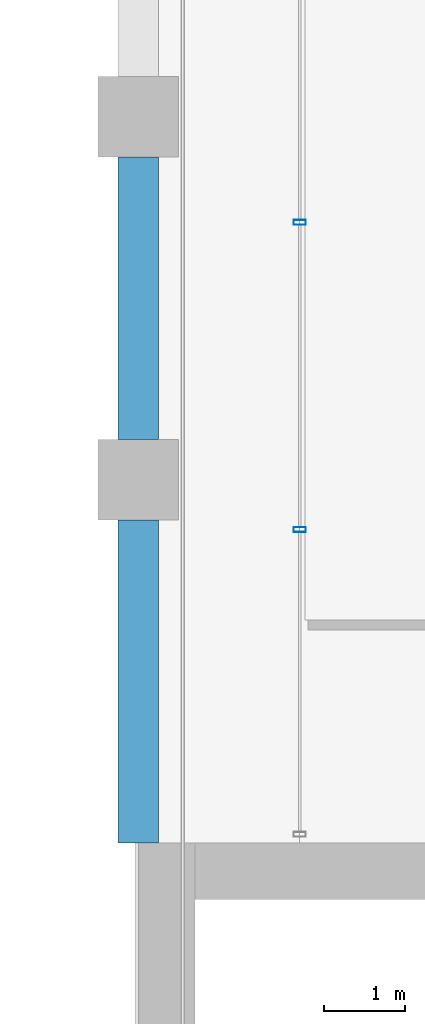
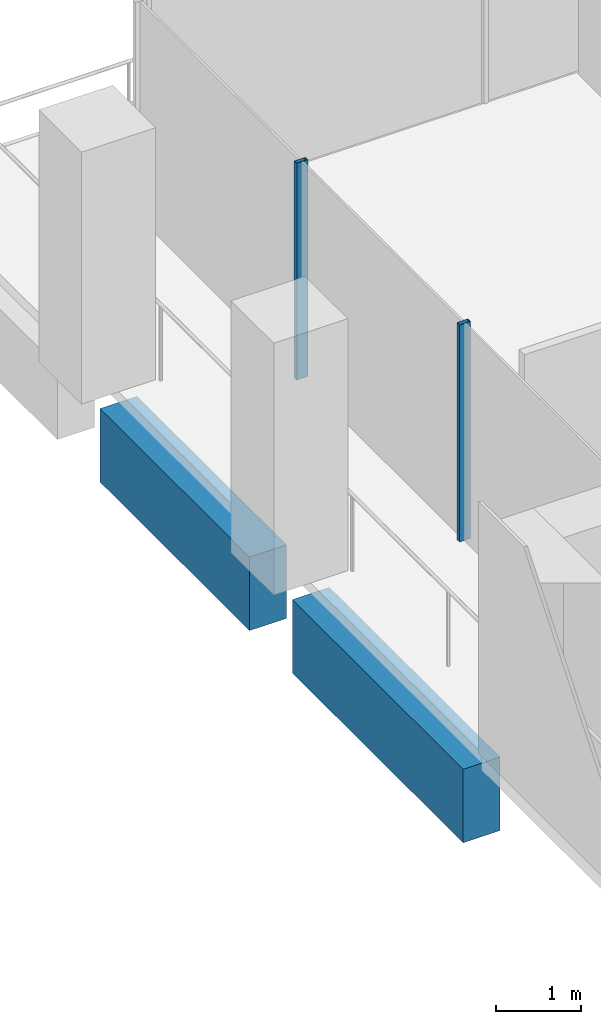
# One storey, part 20 of 45: 2 beams, 2 members, 1 element without a shape of its own.
"""IFC4 building model written with IfcOpenShell, lengths in metres."""

from ifc_helpers import new_model, si_unit, direction, frame, origin, origin_2d, place, context, subcontext, project, spatial, rectangle, hollow_rectangle, extrude, material, material_profile, profile_set, type_object, element, aggregate, save


model = new_model("IFC4")

# Units and contexts
model_context = context("Model", 3, precision=1e-05, world=origin(), true_north=direction((0.0, 1.0)))
body_context = subcontext(model_context, "Body", "Model", "MODEL_VIEW")
ifc_project = project(units=[si_unit("LENGTHUNIT", "METRE"), si_unit("AREAUNIT", "SQUARE_METRE"), si_unit("VOLUMEUNIT", "CUBIC_METRE"), si_unit("PLANEANGLEUNIT", "RADIAN"), si_unit("MASSUNIT", "GRAM", prefix="KILO")], contexts=[model_context])

# Site, building, storey
site_placement = place(None, origin())
site = spatial("IfcSite", under=ifc_project, at=site_placement, CompositionType="ELEMENT")
building_placement = place(site_placement, origin())
building = spatial("IfcBuilding", under=site, at=building_placement, Name="Altepetl Exchange Towers", CompositionType="ELEMENT")
storey_placement = place(building_placement, frame((0.0, 0.0, 110.0)))
storey = spatial("IfcBuildingStorey", under=building, at=storey_placement, Name="L27", CompositionType="ELEMENT", Elevation=110.0)

# Curtain wall, members
ifc_material_1 = material(Name="Aluminium 6063-T6 glazing", Category="aluminium")
curtain_wall_type = type_object("IfcCurtainWallType", Name="Loggia glazing system", PredefinedType="NOTDEFINED", material=ifc_material_1)
curtain_wall_placement = place(storey_placement, origin())
curtain_wall = element("IfcCurtainWall", 1, at=curtain_wall_placement, inside=storey, type_object=curtain_wall_type, Name="CW1 run", PredefinedType="NOTDEFINED")
ifc_material_2 = material(Name="Aluminium 6063-T6", Category="aluminium")
ifc_material_profile_1 = material_profile(ifc_material_2, hollow_rectangle(XDim=0.06005859375, YDim=0.14990234375, WallThickness=0.0029296875, at=origin_2d()), Name="Mullion 60x150 aluminium")
ifc_profile_set_1 = profile_set([ifc_material_profile_1], Name="Aluminium 6063-T6")
member_type = type_object("IfcMemberType", Name="Mullion 60x150 aluminium", PredefinedType="MULLION", material=ifc_profile_set_1)
member_1_placement = place(storey_placement, frame((42.5, 66.191650390625, 0.0), z_axis=(0.0, 0.0, 1.0), x_axis=(0.0, -1.0, 0.0)))
member_1 = element("IfcMember", 2, at=member_1_placement, type_object=member_type, Name="MU1 mullion", PredefinedType="MULLION", context=body_context, shape_type="SweptSolid", body=[
    extrude(hollow_rectangle(XDim=0.06005859375, YDim=0.14990234375, WallThickness=0.0029296875, at=origin_2d()), origin(), (0.0, 0.0, 1.0), 3.10009765625),
])
member_2_placement = place(storey_placement, frame((42.5, 62.38330078125, 0.0), z_axis=(0.0, 0.0, 1.0), x_axis=(0.0, -1.0, 0.0)))
member_2 = element("IfcMember", 3, at=member_2_placement, type_object=member_type, Name="MU1 mullion", PredefinedType="MULLION", context=body_context, shape_type="SweptSolid", body=[
    extrude(hollow_rectangle(XDim=0.06005859375, YDim=0.14990234375, WallThickness=0.0029296875, at=origin_2d()), origin(), (0.0, 0.0, 1.0), 3.10009765625),
])
aggregate(curtain_wall, [member_1, member_2])

# Beams
ifc_material_3 = material(Name="Concrete C50/60 precast with tezontle facing", Category="concrete")
ifc_material_profile_2 = material_profile(ifc_material_3, rectangle(XDim=0.5, YDim=1.050048828125, at=origin_2d()), Name="500 x 1050")
ifc_profile_set_2 = profile_set([ifc_material_profile_2], Name="Concrete C50/60 precast with tezontle facing")
beam_type = type_object("IfcBeamType", Name="Spandrel beam 500x1050 tezontle", PredefinedType="SPANDREL", material=ifc_profile_set_2)
beam_1_placement = place(storey_placement, frame((40.5, 67.0, -0.675048828125), z_axis=(0.0, -1.0, 0.0), x_axis=(1.0, 0.0, 0.0)))
element("IfcBeam", 4, at=beam_1_placement, inside=storey, type_object=beam_type, Name="sp:A:L27:031", PredefinedType="SPANDREL", context=body_context, shape_type="SweptSolid", body=[
    extrude(rectangle(XDim=0.5, YDim=1.050048828125, at=origin_2d()), origin(), (0.0, 0.0, 1.0), 3.5),
])
beam_2_placement = place(storey_placement, frame((40.5, 62.5, -0.675048828125), z_axis=(0.0, -1.0, 0.0), x_axis=(1.0, 0.0, 0.0)))
element("IfcBeam", 5, at=beam_2_placement, inside=storey, type_object=beam_type, Name="sp:A:L27:032", PredefinedType="SPANDREL", context=body_context, shape_type="SweptSolid", body=[
    extrude(rectangle(XDim=0.5, YDim=1.050048828125, at=origin_2d()), origin(), (0.0, 0.0, 1.0), 4.0),
])

save(model, "model.ifc")
